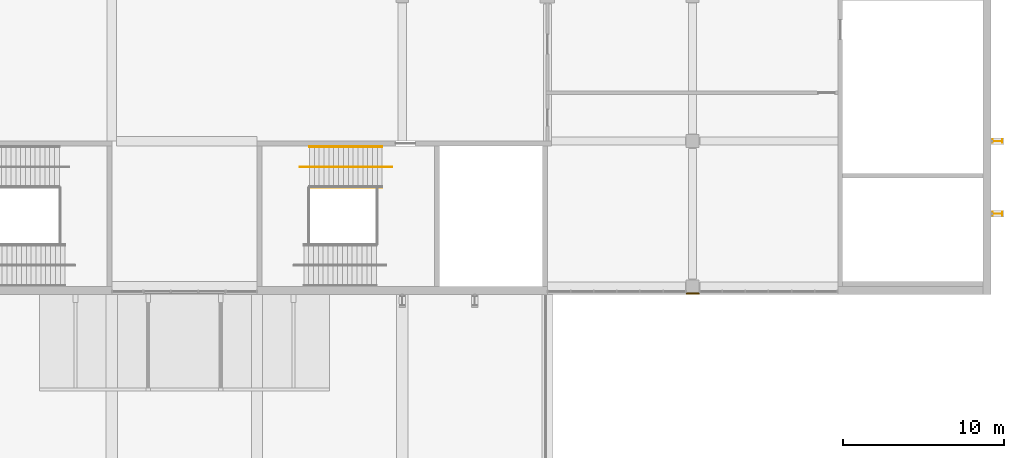
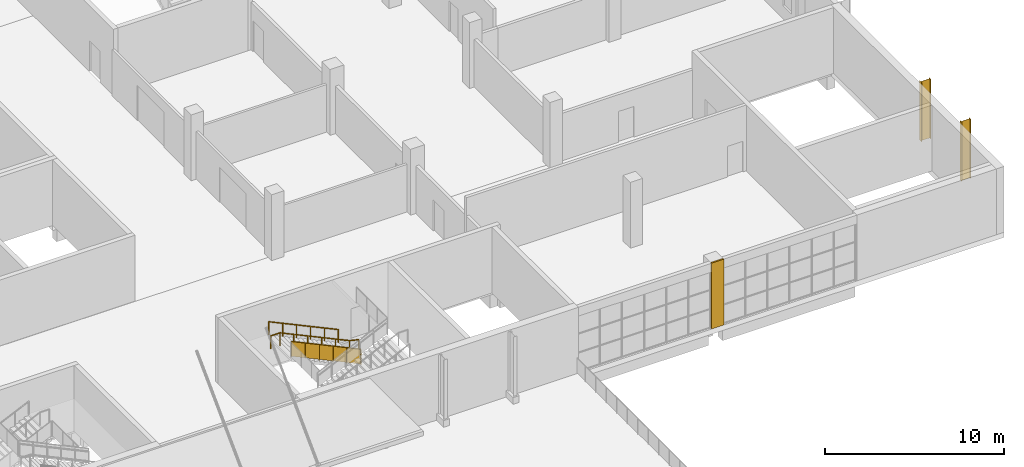
# One storey, part 153 of 168: 3 railings, 2 shading devices, 1 covering.
"""IFC4 building model written with IfcOpenShell, lengths in metres."""

from ifc_helpers import new_model, si_unit, direction, frame, origin, origin_2d, place, context, subcontext, project, spatial, polyline, circle, i_section, outline, extrude, material, layer, layer_set, material_profile, profile_set, type_object, element, save


model = new_model("IFC4")

# Units and contexts
model_context = context("Model", 3, precision=1e-05, world=origin(), true_north=direction((0.0, 1.0)))
body_context = subcontext(model_context, "Body", "Model", "MODEL_VIEW")
ifc_project = project(units=[si_unit("LENGTHUNIT", "METRE"), si_unit("AREAUNIT", "SQUARE_METRE"), si_unit("VOLUMEUNIT", "CUBIC_METRE"), si_unit("PLANEANGLEUNIT", "RADIAN"), si_unit("MASSUNIT", "GRAM", prefix="KILO")], contexts=[model_context])

# Site, building, storey
site_placement = place(None, origin())
site = spatial("IfcSite", under=ifc_project, at=site_placement, CompositionType="ELEMENT")
building_placement = place(site_placement, origin())
building = spatial("IfcBuilding", under=site, at=building_placement, Name="Silverbay Arena", CompositionType="ELEMENT")
storey_placement = place(building_placement, frame((0.0, 0.0, 7.0)))
storey = spatial("IfcBuildingStorey", under=building, at=storey_placement, Name="L01", CompositionType="ELEMENT", Elevation=7.0)

# Covering
ifc_material_1 = material(Name="Aluminium composite cladding", Category="aluminium")
ifc_layer = layer(ifc_material_1, 0.10009765625)
ifc_layer_set = layer_set([ifc_layer], Name="Aluminium composite cladding")
covering_type = type_object("IfcCoveringType", Name="Column cladding 100", PredefinedType="CLADDING", material=ifc_layer_set)
covering_placement = place(storey_placement, origin())
element("IfcCovering", 1, at=covering_placement, inside=storey, type_object=covering_type, Name="South column cladding L01 61", PredefinedType="CLADDING", context=body_context, shape_type="SweptSolid", body=[
    extrude(outline(polyline([(215.60009765625, 17.5), (216.39990234375, 17.5), (216.39990234375, 17.60009765625), (215.60009765625, 17.60009765625), (215.60009765625, 17.5)])), origin(), (0.0, 0.0, 1.0), 4.5),
])

# Railings
ifc_material_2 = material(Name="Stainless steel", Category="steel")
railing_type_1 = type_object("IfcRailingType", Name="Stair guard 1100", PredefinedType="GUARDRAIL", material=ifc_material_2)
railing_1_placement = place(storey_placement, frame((196.75341796875, 24.125, 0.140625)))
element("IfcRailing", 2, at=railing_1_placement, inside=storey, type_object=railing_type_1, Name="Stair ST-S6 L01 to L02 flight 1 guard right", PredefinedType="GUARDRAIL", context=body_context, shape_type="SweptSolid", body=[
    extrude(circle(Radius=0.02392578125, at=origin_2d()), frame((0.0, 0.0, 1.076171875), z_axis=(-0.905458935959, 0.0, 0.424433876231), x_axis=(0.0, -1.0, 0.0)), (0.0, 0.0, 1.0), 4.969970703125),
    extrude(outline(polyline([(-0.008056640625, 0.046142578125), (0.907958984375, 0.4755859375), (0.907958984375, 1.478515625), (-0.008056640625, 1.04931640625), (-0.008056640625, 0.046142578125)])), frame((0.0, -0.0029296875, 0.0), z_axis=(0.0, 1.0, 0.0), x_axis=(-1.0, 0.0, 0.0)), (0.0, 0.0, 1.0), 0.006103515625),
    extrude(outline(polyline([(-0.008056640625, 0.468017578125), (0.907958984375, 0.8974609375), (0.907958984375, 1.900390625), (-0.008056640625, 1.47119140625), (-0.008056640625, 0.468017578125)])), frame((-0.89990234375, -0.0029296875, 0.0), z_axis=(0.0, 1.0, 0.0), x_axis=(-1.0, 0.0, 0.0)), (0.0, 0.0, 1.0), 0.006103515625),
    extrude(outline(polyline([(-0.008056640625, 0.889892578125), (0.907958984375, 1.3193359375), (0.907958984375, 2.322265625), (-0.008056640625, 1.89306640625), (-0.008056640625, 0.889892578125)])), frame((-1.800048828125, -0.0029296875, 0.0), z_axis=(0.0, 1.0, 0.0), x_axis=(-1.0, 0.0, 0.0)), (0.0, 0.0, 1.0), 0.006103515625),
    extrude(outline(polyline([(-0.008056640625, 1.311767578125), (0.907958984375, 1.7412109375), (0.907958984375, 2.744140625), (-0.008056640625, 2.31494140625), (-0.008056640625, 1.311767578125)])), frame((-2.699951171875, -0.0029296875, 0.0), z_axis=(0.0, 1.0, 0.0), x_axis=(-1.0, 0.0, 0.0)), (0.0, 0.0, 1.0), 0.006103515625),
    extrude(outline(polyline([(-0.008056640625, 1.733642578125), (0.907958984375, 2.1630859375), (0.907958984375, 3.166015625), (-0.008056640625, 2.73681640625), (-0.008056640625, 1.733642578125)])), frame((-3.60009765625, -0.0029296875, 0.0), z_axis=(0.0, 1.0, 0.0), x_axis=(-1.0, 0.0, 0.0)), (0.0, 0.0, 1.0), 0.006103515625),
    extrude(circle(Radius=0.02099609375, at=origin_2d()), origin(), (0.0, 0.0, 1.0), 1.052001953125),
    extrude(circle(Radius=0.02099609375, at=origin_2d()), frame((-0.89990234375, 0.0, 0.421875)), (0.0, 0.0, 1.0), 1.052001953125),
    extrude(circle(Radius=0.02099609375, at=origin_2d()), frame((-1.800048828125, 0.0, 0.84375)), (0.0, 0.0, 1.0), 1.052001953125),
    extrude(circle(Radius=0.02099609375, at=origin_2d()), frame((-2.699951171875, 0.0, 1.265625)), (0.0, 0.0, 1.0), 1.052001953125),
    extrude(circle(Radius=0.02099609375, at=origin_2d()), frame((-3.60009765625, 0.0, 1.6875)), (0.0, 0.0, 1.0), 1.052001953125),
    extrude(circle(Radius=0.02099609375, at=origin_2d()), frame((-4.5, 0.0, 2.109375)), (0.0, 0.0, 1.0), 1.052001953125),
])
ifc_material_3 = material(Name="Stainless steel", Category="steel")
railing_type_2 = type_object("IfcRailingType", Name="Stair handrail 900", PredefinedType="HANDRAIL", material=ifc_material_3)
railing_2_placement = place(storey_placement, frame((196.75341796875, 26.64990234375, 0.140625)))
element("IfcRailing", 3, at=railing_2_placement, inside=storey, type_object=railing_type_2, Name="Stair ST-S6 L01 to L02 flight 1 handrail left", PredefinedType="HANDRAIL", context=body_context, shape_type="SweptSolid", body=[
    extrude(circle(Radius=0.02392578125, at=origin_2d()), frame((0.0, 0.0, 0.8759765625), z_axis=(-0.905458935959, 0.0, 0.424433876231), x_axis=(0.0, -1.0, 0.0)), (0.0, 0.0, 1.0), 4.969970703125),
    extrude(circle(Radius=0.02099609375, at=origin_2d()), origin(), (0.0, 0.0, 1.0), 0.851806640625),
    extrude(circle(Radius=0.02099609375, at=origin_2d()), frame((-0.89990234375, 0.0, 0.421875)), (0.0, 0.0, 1.0), 0.851806640625),
    extrude(circle(Radius=0.02099609375, at=origin_2d()), frame((-1.800048828125, 0.0, 0.84375)), (0.0, 0.0, 1.0), 0.851806640625),
    extrude(circle(Radius=0.02099609375, at=origin_2d()), frame((-2.699951171875, 0.0, 1.265625)), (0.0, 0.0, 1.0), 0.851806640625),
    extrude(circle(Radius=0.02099609375, at=origin_2d()), frame((-3.60009765625, 0.0, 1.6875)), (0.0, 0.0, 1.0), 0.851806640625),
    extrude(circle(Radius=0.02099609375, at=origin_2d()), frame((-4.5, 0.0, 2.109375)), (0.0, 0.0, 1.0), 0.851806640625),
])
railing_3_placement = place(storey_placement, frame((197.353515625, 25.39990234375, 0.0)))
element("IfcRailing", 4, at=railing_3_placement, inside=storey, type_object=railing_type_2, Name="Stair ST-S6 L01 to L02 flight 1 central handrail", PredefinedType="HANDRAIL", context=body_context, shape_type="SweptSolid", body=[
    extrude(circle(Radius=0.02392578125, at=origin_2d()), frame((0.0, 0.0, 0.8759765625), z_axis=(-0.973624560196, 0.0, 0.228156121511), x_axis=(0.0, -1.0, 0.0)), (0.0, 0.0, 1.0), 0.616455078125),
    extrude(circle(Radius=0.02392578125, at=origin_2d()), frame((-0.60009765625, 0.0, 1.0166015625), z_axis=(-0.905458935959, 0.0, 0.424433876231), x_axis=(0.0, -1.0, 0.0)), (0.0, 0.0, 1.0), 4.969970703125),
    extrude(circle(Radius=0.02392578125, at=origin_2d()), frame((-5.10009765625, 0.0, 3.1259765625), z_axis=(-1.0, 0.0, 0.0), x_axis=(0.0, -1.0, 0.0)), (0.0, 0.0, 1.0), 0.60009765625),
    extrude(circle(Radius=0.02099609375, at=origin_2d()), origin(), (0.0, 0.0, 1.0), 0.851806640625),
    extrude(circle(Radius=0.02099609375, at=origin_2d()), frame((-0.60009765625, 0.0, 0.140625)), (0.0, 0.0, 1.0), 0.851806640625),
    extrude(circle(Radius=0.02099609375, at=origin_2d()), frame((-1.5, 0.0, 0.5625)), (0.0, 0.0, 1.0), 0.851806640625),
    extrude(circle(Radius=0.02099609375, at=origin_2d()), frame((-2.400146484375, 0.0, 0.984375)), (0.0, 0.0, 1.0), 0.851806640625),
    extrude(circle(Radius=0.02099609375, at=origin_2d()), frame((-3.300048828125, 0.0, 1.40625)), (0.0, 0.0, 1.0), 0.851806640625),
    extrude(circle(Radius=0.02099609375, at=origin_2d()), frame((-4.2001953125, 0.0, 1.828125)), (0.0, 0.0, 1.0), 0.851806640625),
    extrude(circle(Radius=0.02099609375, at=origin_2d()), frame((-5.10009765625, 0.0, 2.25)), (0.0, 0.0, 1.0), 0.851806640625),
    extrude(circle(Radius=0.02099609375, at=origin_2d()), frame((-5.7001953125, 0.0, 2.25)), (0.0, 0.0, 1.0), 0.851806640625),
])

# Shading devices
ifc_material_4 = material(Name="Steel S355", Category="steel")
ifc_material_profile = material_profile(ifc_material_4, i_section(OverallWidth=0.2275390625, OverallDepth=0.6025390625, WebThickness=0.010498046875, FlangeThickness=0.014892578125, at=origin_2d()), Name="UB 610x229x101")
ifc_profile_set = profile_set([ifc_material_profile], Name="Steel S355")
shading_device_type = type_object("IfcShadingDeviceType", Name="Steel fin UB 610x229x101", PredefinedType="USERDEFINED", material=ifc_profile_set)
for number, where, z_axis, x_axis, name in (
    (5, (234.9013671875, 22.5, 0.449951171875), (0.0, 0.0, 1.0), (0.0, 1.0, 0.0), "Steel fin E L01 1"),
    (6, (234.9013671875, 27.0, 0.449951171875), (0.0, 0.0, 1.0), (0.0, 1.0, 0.0), "Steel fin E L01 2"),
):
    element("IfcShadingDevice", number, at=place(storey_placement, frame(where, z_axis=z_axis, x_axis=x_axis)), inside=storey, type_object=shading_device_type, Name=name, ObjectType="FIN", PredefinedType="USERDEFINED", context=body_context, shape_type="SweptSolid", body=[
        extrude(i_section(OverallWidth=0.2275390625, OverallDepth=0.6025390625, WebThickness=0.010498046875, FlangeThickness=0.014892578125, at=origin_2d()), origin(), (0.0, 0.0, 1.0), 4.050048828125),
    ])

save(model, "model.ifc")
